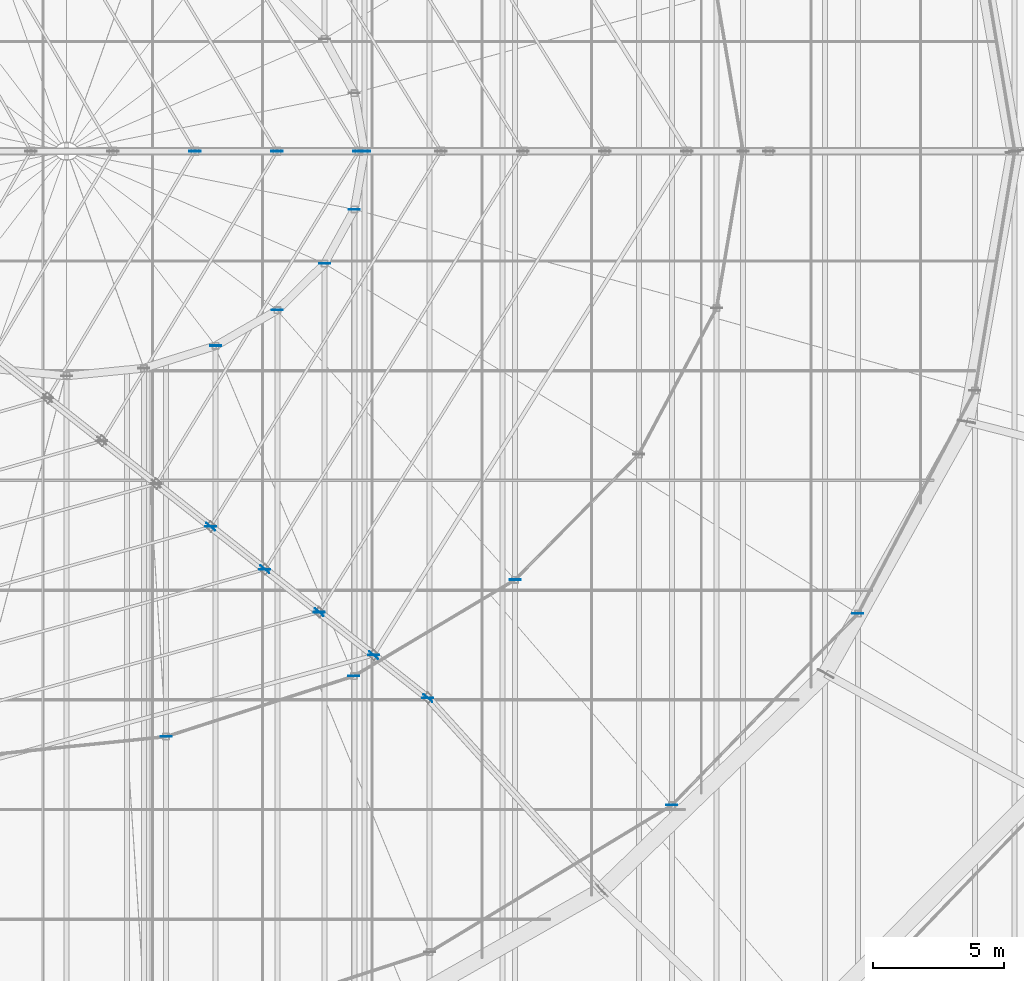
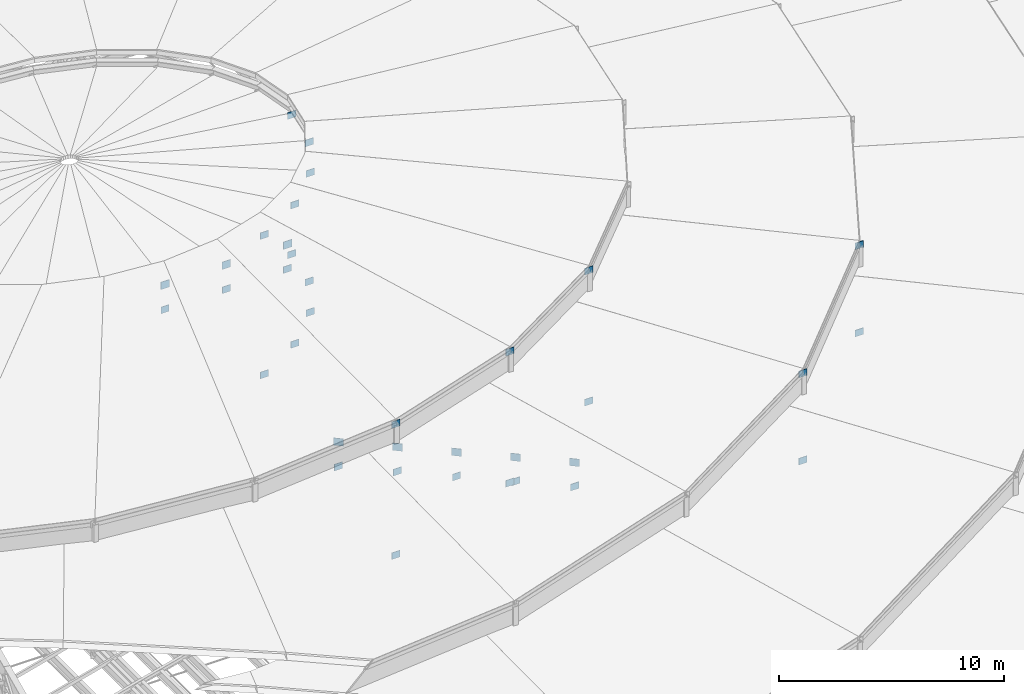
# One storey, part 168 of 184: 36 plates.
"""IFC4 building model written with IfcOpenShell, lengths in metres."""

from ifc_helpers import new_model, si_unit, direction, frame, origin, origin_2d, place, context, subcontext, project, spatial, rectangle, extrude, material, layer, layer_set, type_object, element, save


model = new_model("IFC4")

# Units and contexts
model_context = context("Model", 3, precision=1e-05, world=origin(), true_north=direction((0.0, 1.0)))
body_context = subcontext(model_context, "Body", "Model", "MODEL_VIEW")
ifc_project = project(units=[si_unit("LENGTHUNIT", "METRE"), si_unit("AREAUNIT", "SQUARE_METRE"), si_unit("VOLUMEUNIT", "CUBIC_METRE"), si_unit("PLANEANGLEUNIT", "RADIAN"), si_unit("MASSUNIT", "GRAM", prefix="KILO")], contexts=[model_context])

# Site, building, storey
site_placement = place(None, origin())
site = spatial("IfcSite", under=ifc_project, at=site_placement, CompositionType="ELEMENT")
building_placement = place(site_placement, origin())
building = spatial("IfcBuilding", under=site, at=building_placement, Name="Kalgoora Escarpment Arena", CompositionType="ELEMENT")
storey_placement = place(building_placement, frame((0.0, 0.0, 27.60009765625)))
storey = spatial("IfcBuildingStorey", under=building, at=storey_placement, Name="Roof Level", CompositionType="ELEMENT", Elevation=27.60009765625)

# Plates
ifc_material = material(Name="Structural steel Grade 350 (350 MPa)", Category="steel")
ifc_layer = layer(ifc_material, 0.02490234375)
ifc_layer_set = layer_set([ifc_layer], Name="PLT-GUSSET-25")
plate_type = type_object("IfcPlateType", Name="PLT-GUSSET-25", PredefinedType="USERDEFINED", material=ifc_layer_set)
for number, where, z_axis, x_axis, name in (
    (1, (121.300048828125, 64.0, -0.5), (0.0, 0.0, 1.0), (-1.0, 0.0, 0.0), "Radial ROOF TRUSS node gusset plate S1-6"),
    (2, (118.159912109375, 64.0, -0.489990234375), (0.0, 0.0, 1.0), (-1.0, 0.0, 0.0), "Radial ROOF TRUSS node gusset plate S1-7"),
    (3, (115.02001953125, 64.0, -0.47998046875), (0.0, 0.0, 1.0), (-1.0, 0.0, 0.0), "Radial ROOF TRUSS node gusset plate S1-8"),
    (4, (123.93701171875, 43.069580078125, -0.550048828125), (0.0, 0.0, 1.0), (-0.756081970773, 0.6544769312, 0.0), "Radial ROOF TRUSS node gusset plate S8-1"),
    (5, (121.857421875, 44.710205078125, -0.5400390625), (0.0, 0.0, 1.0), (-0.756081970773, 0.6544769312, 0.0), "Radial ROOF TRUSS node gusset plate S8-2"),
    (6, (119.777587890625, 46.3505859375, -0.530029296875), (0.0, 0.0, 1.0), (-0.756081970773, 0.6544769312, 0.0), "Radial ROOF TRUSS node gusset plate S8-3"),
    (7, (117.69775390625, 47.9912109375, -0.52001953125), (0.0, 0.0, 1.0), (-0.756081970773, 0.6544769312, 0.0), "Radial ROOF TRUSS node gusset plate S8-4"),
    (8, (115.6181640625, 49.631591796875, -0.510009765625), (0.0, 0.0, 1.0), (-0.756081970773, 0.6544769312, 0.0), "Radial ROOF TRUSS node gusset plate S8-5"),
):
    element("IfcPlate", number, at=place(storey_placement, frame(where, z_axis=z_axis, x_axis=x_axis)), inside=storey, type_object=plate_type, Name=name, ObjectType="FLANGE PLATE", PredefinedType="USERDEFINED", context=body_context, shape_type="SweptSolid", body=[
        extrude(rectangle(XDim=0.43994140625, YDim=0.02490234375, at=origin_2d()), origin(), (0.0, 0.0, 1.0), 0.39990234375),
    ])
for number, where, z_axis, x_axis, name in (
    (9, (121.300048828125, 64.0, -1.80517578125), (0.0, 0.0, 1.0), (1.0, 0.0, 0.0), "Brace and post end gusset plate 073"),
    (10, (118.159912109375, 64.0, -1.80029296875), (0.0, 0.0, 1.0), (1.0, 0.0, 0.0), "Brace and post end gusset plate 074"),
    (11, (115.02001953125, 64.0, -1.794921875), (0.0, 0.0, 1.0), (1.0, 0.0, 0.0), "Brace and post end gusset plate 075"),
    (12, (123.93701171875, 43.069580078125, -1.830078125), (0.0, 0.0, 1.0), (1.0, 0.0, 0.0), "Brace and post end gusset plate 145"),
    (13, (121.857421875, 44.710205078125, -1.8251953125), (0.0, 0.0, 1.0), (1.0, 0.0, 0.0), "Brace and post end gusset plate 146"),
    (14, (119.777587890625, 46.3505859375, -1.8203125), (0.0, 0.0, 1.0), (1.0, 0.0, 0.0), "Brace and post end gusset plate 147"),
    (15, (117.69775390625, 47.9912109375, -1.81494140625), (0.0, 0.0, 1.0), (1.0, 0.0, 0.0), "Brace and post end gusset plate 148"),
    (16, (115.6181640625, 49.631591796875, -1.81005859375), (0.0, 0.0, 1.0), (1.0, 0.0, 0.0), "Brace and post end gusset plate 149"),
    (17, (133.2783203125, 38.968505859375, -1.2001953125), (0.0, 0.0, 1.0), (1.0, 0.0, 0.0), "Brace and post end gusset plate 268"),
    (18, (133.2783203125, 38.968505859375, 3.52490234375), (0.0, 0.0, 1.0), (1.0, 0.0, 0.0), "Brace and post end gusset plate 269"),
    (19, (140.39794921875, 46.300048828125, -1.2001953125), (0.0, 0.0, 1.0), (1.0, 0.0, 0.0), "Brace and post end gusset plate 270"),
    (20, (140.39794921875, 46.300048828125, 3.52490234375), (0.0, 0.0, 1.0), (1.0, 0.0, 0.0), "Brace and post end gusset plate 271"),
    (21, (113.912841796875, 41.590576171875, -1.14013671875), (0.0, 0.0, 1.0), (1.0, 0.0, 0.0), "Brace and post end gusset plate 312"),
    (22, (113.912841796875, 41.590576171875, 5.96484375), (0.0, 0.0, 1.0), (1.0, 0.0, 0.0), "Brace and post end gusset plate 313"),
    (23, (121.10009765625, 43.908203125, -1.14013671875), (0.0, 0.0, 1.0), (1.0, 0.0, 0.0), "Brace and post end gusset plate 314"),
    (24, (121.10009765625, 43.908203125, 5.96484375), (0.0, 0.0, 1.0), (1.0, 0.0, 0.0), "Brace and post end gusset plate 315"),
    (25, (127.271728515625, 47.59521484375, -1.14013671875), (0.0, 0.0, 1.0), (1.0, 0.0, 0.0), "Brace and post end gusset plate 316"),
    (26, (127.271728515625, 47.59521484375, 5.96484375), (0.0, 0.0, 1.0), (1.0, 0.0, 0.0), "Brace and post end gusset plate 317"),
    (27, (121.510009765625, 64.0, -1.080078125), (0.0, 0.0, 1.0), (1.0, 0.0, 0.0), "Brace and post end gusset plate 322"),
    (28, (121.510009765625, 64.0, 6.4697265625), (0.0, 0.0, 1.0), (1.0, 0.0, 0.0), "Brace and post end gusset plate 323"),
    (29, (115.81005859375, 56.55224609375, -1.080078125), (0.0, 0.0, 1.0), (1.0, 0.0, 0.0), "Brace and post end gusset plate 362"),
    (30, (115.81005859375, 56.55224609375, 6.4697265625), (0.0, 0.0, 1.0), (1.0, 0.0, 0.0), "Brace and post end gusset plate 363"),
    (31, (118.1708984375, 57.9189453125, -1.080078125), (0.0, 0.0, 1.0), (1.0, 0.0, 0.0), "Brace and post end gusset plate 364"),
    (32, (118.1708984375, 57.9189453125, 6.4697265625), (0.0, 0.0, 1.0), (1.0, 0.0, 0.0), "Brace and post end gusset plate 365"),
    (33, (119.982666015625, 59.699951171875, -1.080078125), (0.0, 0.0, 1.0), (1.0, 0.0, 0.0), "Brace and post end gusset plate 366"),
    (34, (119.982666015625, 59.699951171875, 6.4697265625), (0.0, 0.0, 1.0), (1.0, 0.0, 0.0), "Brace and post end gusset plate 367"),
    (35, (121.12158203125, 61.774169921875, -1.080078125), (0.0, 0.0, 1.0), (1.0, 0.0, 0.0), "Brace and post end gusset plate 368"),
    (36, (121.12158203125, 61.774169921875, 6.4697265625), (0.0, 0.0, 1.0), (1.0, 0.0, 0.0), "Brace and post end gusset plate 369"),
):
    element("IfcPlate", number, at=place(storey_placement, frame(where, z_axis=z_axis, x_axis=x_axis)), inside=storey, type_object=plate_type, Name=name, ObjectType="FLANGE PLATE", PredefinedType="USERDEFINED", context=body_context, shape_type="SweptSolid", body=[
        extrude(rectangle(XDim=0.419921875, YDim=0.02490234375, at=origin_2d()), origin(), (0.0, 0.0, 1.0), 0.360107421875),
    ])

save(model, "model.ifc")
